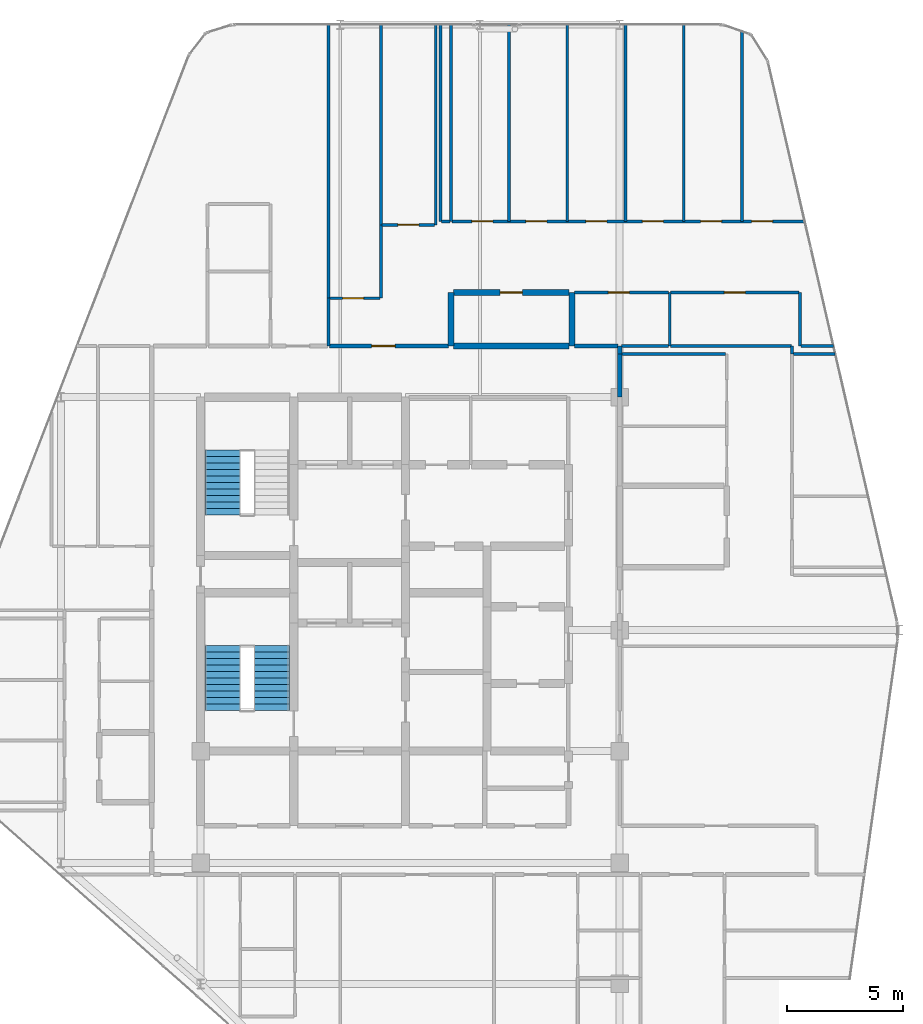
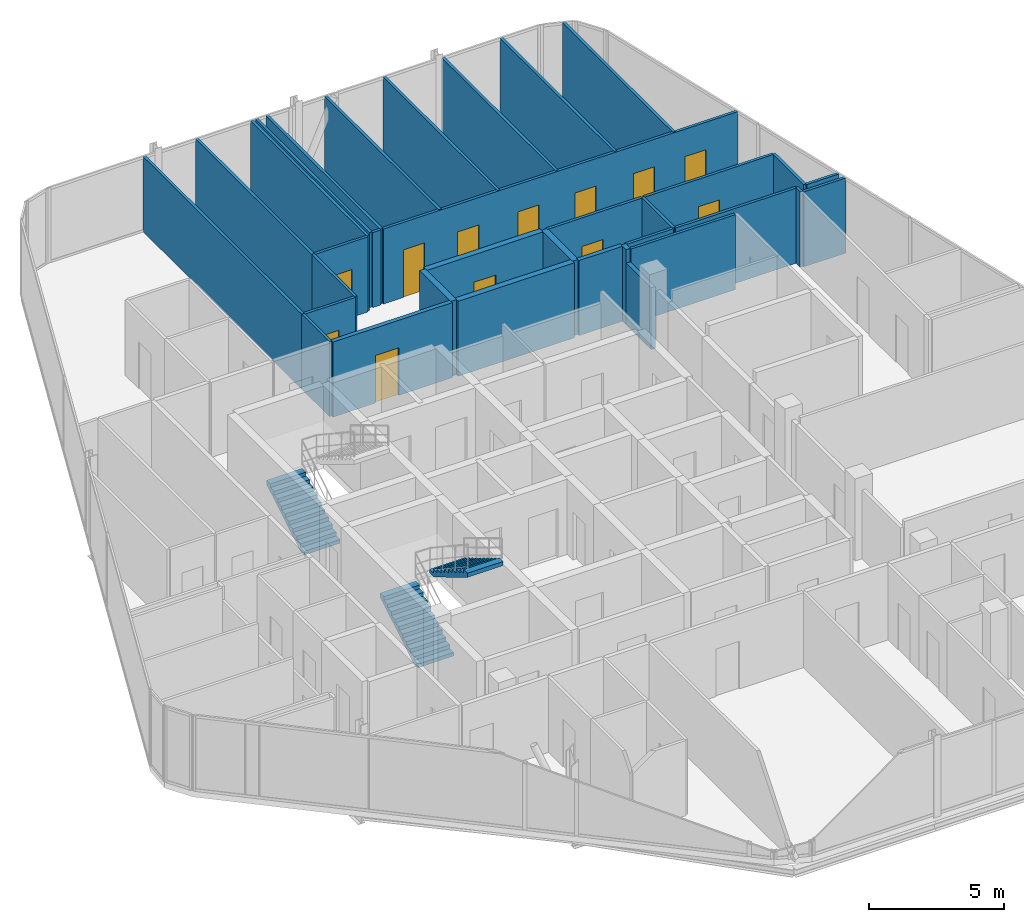
# One storey, part 29 of 31: 34 walls, 12 doors, 3 stair flights, 12 openings, 2 elements without a shape of their own.
"""IFC4 building model written with IfcOpenShell, lengths in metres."""

from ifc_helpers import new_model, si_unit, direction, frame, frame_2d, origin, place, context, subcontext, project, spatial, polyline, rectangle, outline, extrude, material, layer, layer_set, type_object, element, fill, aggregate, save


model = new_model("IFC4")

# Units and contexts
model_context = context("Model", 3, precision=1e-05, world=origin(), true_north=direction((0.0, 1.0)))
body_context = subcontext(model_context, "Body", "Model", "MODEL_VIEW")
ifc_project = project(units=[si_unit("LENGTHUNIT", "METRE"), si_unit("AREAUNIT", "SQUARE_METRE"), si_unit("VOLUMEUNIT", "CUBIC_METRE"), si_unit("PLANEANGLEUNIT", "RADIAN"), si_unit("MASSUNIT", "GRAM", prefix="KILO")], contexts=[model_context])

# Site, building, storey
site_placement = place(None, origin())
site = spatial("IfcSite", under=ifc_project, at=site_placement, CompositionType="ELEMENT")
building_placement = place(site_placement, origin())
building = spatial("IfcBuilding", under=site, at=building_placement, Name="Keshet Zoharim Tower", CompositionType="ELEMENT")
storey_placement = place(building_placement, frame((0.0, 0.0, 276.89990234375)))
storey = spatial("IfcBuildingStorey", under=building, at=storey_placement, Name="L69", CompositionType="ELEMENT", Elevation=276.89990234375)

# Wall
ifc_material_1 = material(Name="Gypsum Plasterboard", Category="gypsum")
ifc_layer_1 = layer(ifc_material_1, 0.179931640625)
ifc_layer_set_1 = layer_set([ifc_layer_1], Name="Gypsum Plasterboard")
wall_type_1 = type_object("IfcWallType", Name="WL-CORR-180", PredefinedType="STANDARD", material=ifc_layer_set_1)
wall_1_placement = place(storey_placement, frame((33.0, 39.75, 0.0), z_axis=(0.0, 0.0, 1.0), x_axis=(0.0, 1.0, 0.0)))
element("IfcWall", 1, at=wall_1_placement, inside=storey, type_object=wall_type_1, Name="L69 Interior Wall 077", PredefinedType="STANDARD", context=body_context, shape_type="SweptSolid", body=[
    extrude(rectangle(XDim=0.35009765625, YDim=0.179931640625, at=frame_2d((0.175048828125, 0.0))), origin(), (0.0, 0.0, 1.0), 3.39013671875),
])

# Wall, opening, door
wall_2_placement = place(storey_placement, frame((20.544921875, 40.10009765625, 0.0), z_axis=(0.0, 0.0, 1.0), x_axis=(1.0, 0.0, 0.0)))
wall_2 = element("IfcWall", 2, at=wall_2_placement, inside=storey, type_object=wall_type_1, Name="L69 Interior Wall 166", PredefinedType="STANDARD", context=body_context, shape_type="SweptSolid", body=[
    extrude(rectangle(XDim=5.094970703125, YDim=0.179931640625, at=frame_2d((2.54736328125, 0.0))), origin(), (0.0, 0.0, 1.0), 3.39013671875),
])
opening_1_placement = place(wall_2_placement, frame((1.806884765625, 0.0, 0.0)))
opening_1 = element("IfcOpeningElement", 3, at=opening_1_placement, cuts=wall_2, Name="Opening D-F310", PredefinedType="OPENING", context=body_context, shape_type="SweptSolid", body=[
    extrude(rectangle(XDim=1.0, YDim=2.14990234375, at=frame_2d((0.5, 1.074951171875))), frame((0.0, 0.10009765625, 0.0), z_axis=(0.0, -1.0, 0.0), x_axis=(1.0, 0.0, 0.0)), (0.0, 0.0, 1.0), 0.199951171875),
])
ifc_material_2 = material(Name="Hardwood Timber", Category="wood")
door_type_1 = type_object("IfcDoorType", Name="DR-FD30-100", OperationType="NOTDEFINED", PredefinedType="DOOR", material=ifc_material_2)
door_1_placement = place(opening_1_placement, origin())
door_1 = element("IfcDoor", 4, at=door_1_placement, inside=storey, type_object=door_type_1, Name="Apartment 6905 Entrance Door", OperationType="SINGLE_SWING_RIGHT", OverallHeight=2.14990234375, OverallWidth=1.0, PredefinedType="DOOR", context=body_context, shape_type="SweptSolid", body=[
    extrude(rectangle(XDim=1.0, YDim=2.14990234375, at=frame_2d((0.5, 1.074951171875))), frame((0.0, 0.02490234375, 0.0), z_axis=(0.0, -1.0, 0.0), x_axis=(1.0, 0.0, 0.0)), (0.0, 0.0, 1.0), 0.050048828125),
])
fill(opening_1, door_1)

# Walls
wall_3_placement = place(storey_placement, frame((31.050048828125, 40.10009765625, 0.0), z_axis=(0.0, 0.0, 1.0), x_axis=(1.0, 0.0, 0.0)))
element("IfcWall", 5, at=wall_3_placement, inside=storey, type_object=wall_type_1, Name="L69 Interior Wall 168", PredefinedType="STANDARD", context=body_context, shape_type="SweptSolid", body=[
    extrude(rectangle(XDim=1.875, YDim=0.179931640625, at=frame_2d((0.9375, 0.0))), origin(), (0.0, 0.0, 1.0), 3.39013671875),
])
wall_4_placement = place(storey_placement, frame((33.0, 37.89990234375, 0.0), z_axis=(0.0, 0.0, 1.0), x_axis=(0.0, 1.0, 0.0)))
element("IfcWall", 6, at=wall_4_placement, inside=storey, type_object=wall_type_1, Name="L69 Interior Wall 076 Part 2", PredefinedType="STANDARD", context=body_context, shape_type="SweptSolid", body=[
    extrude(rectangle(XDim=1.85009765625, YDim=0.179931640625, at=frame_2d((0.925048828125, 0.0))), origin(), (0.0, 0.0, 1.0), 2.7900390625),
])
ifc_material_3 = material(Name="Concrete C50/60", Category="concrete")
ifc_layer_2 = layer(ifc_material_3, 0.25)
ifc_layer_set_2 = layer_set([ifc_layer_2], Name="Concrete C50/60")
wall_type_2 = type_object("IfcWallType", Name="WL-MAMAD-250", PredefinedType="STANDARD", material=ifc_layer_set_2)
for number, where, z_axis, x_axis, name in (
    (7, (25.75, 40.10009765625, 0.0), (0.0, 0.0, 1.0), (0.0, 1.0, 0.0), "L69 Interior Wall 049"),
    (8, (30.949951171875, 40.10009765625, 0.0), (0.0, 0.0, 1.0), (0.0, 1.0, 0.0), "L69 Interior Wall 068"),
):
    element("IfcWall", number, at=place(storey_placement, frame(where, z_axis=z_axis, x_axis=x_axis)), inside=storey, type_object=wall_type_2, Name=name, PredefinedType="STANDARD", context=body_context, shape_type="SweptSolid", body=[
        extrude(rectangle(XDim=2.2998046875, YDim=0.25, at=frame_2d((1.14990234375, 0.0))), origin(), (0.0, 0.0, 1.0), 3.39013671875),
    ])
wall_5_placement = place(storey_placement, frame((25.860107421875, 40.10009765625, 0.0), z_axis=(0.0, 0.0, 1.0), x_axis=(1.0, 0.0, 0.0)))
element("IfcWall", 9, at=wall_5_placement, inside=storey, type_object=wall_type_2, Name="L69 Interior Wall 167", PredefinedType="STANDARD", context=body_context, shape_type="SweptSolid", body=[
    extrude(rectangle(XDim=4.969970703125, YDim=0.25, at=frame_2d((2.48486328125, 0.0))), origin(), (0.0, 0.0, 1.0), 3.39013671875),
])

# Wall, opening, door
wall_6_placement = place(storey_placement, frame((25.860107421875, 42.39990234375, 0.0), z_axis=(0.0, 0.0, 1.0), x_axis=(1.0, 0.0, 0.0)))
wall_6 = element("IfcWall", 10, at=wall_6_placement, inside=storey, type_object=wall_type_2, Name="L69 Interior Wall 173", PredefinedType="STANDARD", context=body_context, shape_type="SweptSolid", body=[
    extrude(rectangle(XDim=4.969970703125, YDim=0.25, at=frame_2d((2.48486328125, 0.0))), origin(), (0.0, 0.0, 1.0), 3.39013671875),
])
opening_2_placement = place(wall_6_placement, frame((2.010009765625, 0.0, 0.0)))
opening_2 = element("IfcOpeningElement", 11, at=opening_2_placement, cuts=wall_6, Name="Opening D-F695", PredefinedType="OPENING", context=body_context, shape_type="SweptSolid", body=[
    extrude(rectangle(XDim=0.949951171875, YDim=2.14990234375, at=frame_2d((0.47509765625, 1.074951171875))), frame((0.0, 0.135009765625, 0.0), z_axis=(0.0, -1.0, 0.0), x_axis=(1.0, 0.0, 0.0)), (0.0, 0.0, 1.0), 0.27001953125),
])
door_type_2 = type_object("IfcDoorType", Name="DR-FD60-095", OperationType="NOTDEFINED", PredefinedType="DOOR", material=ifc_material_2)
door_2_placement = place(opening_2_placement, origin())
door_2 = element("IfcDoor", 12, at=door_2_placement, inside=storey, type_object=door_type_2, Name="Apartment 6905 Study and Shelter Room Door", OperationType="SINGLE_SWING_RIGHT", OverallHeight=2.14990234375, OverallWidth=0.949951171875, PredefinedType="DOOR", context=body_context, shape_type="SweptSolid", body=[
    extrude(rectangle(XDim=0.949951171875, YDim=2.14990234375, at=frame_2d((0.47509765625, 1.074951171875))), frame((0.0, 0.02490234375, 0.0), z_axis=(0.0, -1.0, 0.0), x_axis=(1.0, 0.0, 0.0)), (0.0, 0.0, 1.0), 0.050048828125),
])
fill(opening_2, door_2)

# Walls
ifc_layer_3 = layer(ifc_material_1, 0.1201171875)
ifc_layer_set_3 = layer_set([ifc_layer_3], Name="Gypsum Plasterboard")
wall_type_3 = type_object("IfcWallType", Name="WL-PART-120", PredefinedType="PARTITIONING", material=ifc_layer_set_3)
wall_7_placement = place(storey_placement, frame((20.5, 40.10009765625, 0.0), z_axis=(0.0, 0.0, 1.0), x_axis=(0.0, 1.0, 0.0)))
element("IfcWall", 13, at=wall_7_placement, inside=storey, type_object=wall_type_3, Name="L69 Interior Wall 033", PredefinedType="PARTITIONING", context=body_context, shape_type="SweptSolid", body=[
    extrude(rectangle(XDim=2.0498046875, YDim=0.1201171875, at=frame_2d((1.02490234375, 0.0))), origin(), (0.0, 0.0, 1.0), 3.39013671875),
])
wall_8_placement = place(storey_placement, frame((20.5, 42.14990234375, 0.0), z_axis=(0.0, 0.0, 1.0), x_axis=(0.0, 1.0, 0.0)))
element("IfcWall", 14, at=wall_8_placement, inside=storey, type_object=wall_type_3, Name="L69 Interior Wall 034", PredefinedType="PARTITIONING", context=body_context, shape_type="SweptSolid", body=[
    extrude(rectangle(XDim=11.739990234375, YDim=0.1201171875, at=frame_2d((5.8701171875, 0.0))), origin(), (0.0, 0.0, 1.0), 3.39013671875),
])
wall_9_placement = place(storey_placement, frame((22.75, 42.14990234375, 0.0), z_axis=(0.0, 0.0, 1.0), x_axis=(0.0, 1.0, 0.0)))
element("IfcWall", 15, at=wall_9_placement, inside=storey, type_object=wall_type_3, Name="L69 Interior Wall 038", PredefinedType="PARTITIONING", context=body_context, shape_type="SweptSolid", body=[
    extrude(rectangle(XDim=3.150146484375, YDim=0.1201171875, at=frame_2d((1.5751953125, 0.0))), origin(), (0.0, 0.0, 1.0), 3.39013671875),
])
for number, where, z_axis, x_axis, name in (
    (16, (22.75, 45.300048828125, 0.0), (0.0, 0.0, 1.0), (0.0, 1.0, 0.0), "L69 Interior Wall 039"),
    (17, (25.10009765625, 45.300048828125, 0.0), (0.0, 0.0, 1.0), (0.0, 1.0, 0.0), "L69 Interior Wall 047"),
):
    element("IfcWall", number, at=place(storey_placement, frame(where, z_axis=z_axis, x_axis=x_axis)), inside=storey, type_object=wall_type_3, Name=name, PredefinedType="PARTITIONING", context=body_context, shape_type="SweptSolid", body=[
        extrude(rectangle(XDim=8.58984375, YDim=0.1201171875, at=frame_2d((4.294921875, 0.0))), origin(), (0.0, 0.0, 1.0), 3.39013671875),
    ])
for number, where, z_axis, x_axis, name in (
    (18, (25.300048828125, 45.449951171875, 0.0), (0.0, 0.0, 1.0), (0.0, 1.0, 0.0), "L69 Interior Wall 048"),
    (19, (25.75, 45.449951171875, 0.0), (0.0, 0.0, 1.0), (0.0, 1.0, 0.0), "L69 Interior Wall 050"),
    (20, (28.25, 45.449951171875, 0.0), (0.0, 0.0, 1.0), (0.0, 1.0, 0.0), "L69 Interior Wall 059"),
    (21, (30.75, 45.449951171875, 0.0), (0.0, 0.0, 1.0), (0.0, 1.0, 0.0), "L69 Interior Wall 060"),
    (22, (33.25, 45.449951171875, 0.0), (0.0, 0.0, 1.0), (0.0, 1.0, 0.0), "L69 Interior Wall 078"),
    (23, (35.75, 45.449951171875, 0.0), (0.0, 0.0, 1.0), (0.0, 1.0, 0.0), "L69 Interior Wall 083"),
):
    element("IfcWall", number, at=place(storey_placement, frame(where, z_axis=z_axis, x_axis=x_axis)), inside=storey, type_object=wall_type_3, Name=name, PredefinedType="PARTITIONING", context=body_context, shape_type="SweptSolid", body=[
        extrude(rectangle(XDim=8.43994140625, YDim=0.1201171875, at=frame_2d((4.219970703125, 0.0))), origin(), (0.0, 0.0, 1.0), 3.39013671875),
    ])
wall_10_placement = place(storey_placement, frame((38.25, 45.449951171875, 0.0), z_axis=(0.0, 0.0, 1.0), x_axis=(0.0, 1.0, 0.0)))
element("IfcWall", 24, at=wall_10_placement, inside=storey, type_object=wall_type_3, Name="L69 Interior Wall 090", PredefinedType="PARTITIONING", context=body_context, shape_type="SweptSolid", body=[
    extrude(rectangle(XDim=8.14599609375, YDim=0.1201171875, at=frame_2d((4.072998046875, 0.0))), origin(), (0.0, 0.0, 1.0), 3.39013671875),
])
wall_11_placement = place(storey_placement, frame((40.39990234375, 39.75, 0.0), z_axis=(0.0, 0.0, 1.0), x_axis=(0.0, 1.0, 0.0)))
element("IfcWall", 25, at=wall_11_placement, inside=storey, type_object=wall_type_3, Name="L69 Interior Wall 093", PredefinedType="PARTITIONING", context=body_context, shape_type="SweptSolid", body=[
    extrude(rectangle(XDim=0.35009765625, YDim=0.1201171875, at=frame_2d((0.175048828125, 0.0))), origin(), (0.0, 0.0, 1.0), 3.39013671875),
])
wall_12_placement = place(storey_placement, frame((40.75, 40.10009765625, 0.0), z_axis=(0.0, 0.0, 1.0), x_axis=(0.0, 1.0, 0.0)))
element("IfcWall", 26, at=wall_12_placement, inside=storey, type_object=wall_type_3, Name="L69 Interior Wall 094", PredefinedType="PARTITIONING", context=body_context, shape_type="SweptSolid", body=[
    extrude(rectangle(XDim=2.2998046875, YDim=0.1201171875, at=frame_2d((1.14990234375, 0.0))), origin(), (0.0, 0.0, 1.0), 3.39013671875),
])
wall_13_placement = place(storey_placement, frame((33.074951171875, 39.75, 0.0), z_axis=(0.0, 0.0, 1.0), x_axis=(1.0, 0.0, 0.0)))
element("IfcWall", 27, at=wall_13_placement, inside=storey, type_object=wall_type_3, Name="L69 Interior Wall 159", PredefinedType="PARTITIONING", context=body_context, shape_type="SweptSolid", body=[
    extrude(rectangle(XDim=4.4599609375, YDim=0.1201171875, at=frame_2d((2.22998046875, 0.0))), origin(), (0.0, 0.0, 1.0), 3.39013671875),
])
wall_14_placement = place(storey_placement, frame((40.465087890625, 39.75, 0.0), z_axis=(0.0, 0.0, 1.0), x_axis=(1.0, 0.0, 0.0)))
element("IfcWall", 28, at=wall_14_placement, inside=storey, type_object=wall_type_3, Name="L69 Interior Wall 160", PredefinedType="PARTITIONING", context=body_context, shape_type="SweptSolid", body=[
    extrude(rectangle(XDim=1.789794921875, YDim=0.1201171875, at=frame_2d((0.89501953125, 0.0))), origin(), (0.0, 0.0, 1.0), 3.39013671875),
])
wall_15_placement = place(storey_placement, frame((35.18505859375, 40.10009765625, 0.0), z_axis=(0.0, 0.0, 1.0), x_axis=(1.0, 0.0, 0.0)))
element("IfcWall", 29, at=wall_15_placement, inside=storey, type_object=wall_type_3, Name="L69 Interior Wall 170", PredefinedType="PARTITIONING", context=body_context, shape_type="SweptSolid", body=[
    extrude(rectangle(XDim=5.18994140625, YDim=0.1201171875, at=frame_2d((2.594970703125, 0.0))), origin(), (0.0, 0.0, 1.0), 3.39013671875),
])
wall_16_placement = place(storey_placement, frame((40.7958984375, 40.10009765625, 0.0), z_axis=(0.0, 0.0, 1.0), x_axis=(1.0, 0.0, 0.0)))
element("IfcWall", 30, at=wall_16_placement, inside=storey, type_object=wall_type_3, Name="L69 Interior Wall 171", PredefinedType="PARTITIONING", context=body_context, shape_type="SweptSolid", body=[
    extrude(rectangle(XDim=1.379150390625, YDim=0.1201171875, at=frame_2d((0.689453125, 0.0))), origin(), (0.0, 0.0, 1.0), 3.39013671875),
])

# Wall, opening, door
wall_17_placement = place(storey_placement, frame((20.544921875, 42.14990234375, 0.0), z_axis=(0.0, 0.0, 1.0), x_axis=(1.0, 0.0, 0.0)))
wall_17 = element("IfcWall", 31, at=wall_17_placement, inside=storey, type_object=wall_type_3, Name="L69 Interior Wall 172", PredefinedType="PARTITIONING", context=body_context, shape_type="SweptSolid", body=[
    extrude(rectangle(XDim=2.16015625, YDim=0.1201171875, at=frame_2d((1.080078125, 0.0))), origin(), (0.0, 0.0, 1.0), 3.39013671875),
])
opening_3_placement = place(wall_17_placement, frame((0.552978515625, 0.0, 0.0)))
opening_3 = element("IfcOpeningElement", 32, at=opening_3_placement, cuts=wall_17, Name="Opening D-IN90", PredefinedType="OPENING", context=body_context, shape_type="SweptSolid", body=[
    extrude(rectangle(XDim=0.89990234375, YDim=2.14990234375, at=frame_2d((0.449951171875, 1.074951171875))), frame((0.0, 0.070068359375, 0.0), z_axis=(0.0, -1.0, 0.0), x_axis=(1.0, 0.0, 0.0)), (0.0, 0.0, 1.0), 0.14013671875),
])
door_type_3 = type_object("IfcDoorType", Name="DR-INT-090", OperationType="NOTDEFINED", PredefinedType="DOOR", material=ifc_material_2)
door_3_placement = place(opening_3_placement, origin())
door_3 = element("IfcDoor", 33, at=door_3_placement, inside=storey, type_object=door_type_3, Name="Apartment 6905 Formal Dining Room Door", OperationType="SINGLE_SWING_LEFT", OverallHeight=2.14990234375, OverallWidth=0.89990234375, PredefinedType="DOOR", context=body_context, shape_type="SweptSolid", body=[
    extrude(rectangle(XDim=0.89990234375, YDim=2.14990234375, at=frame_2d((0.449951171875, 1.074951171875))), frame((0.0, 0.02490234375, 0.0), z_axis=(0.0, -1.0, 0.0), x_axis=(1.0, 0.0, 0.0)), (0.0, 0.0, 1.0), 0.050048828125),
])
fill(opening_3, door_3)

wall_18_placement = place(storey_placement, frame((35.18505859375, 42.39990234375, 0.0), z_axis=(0.0, 0.0, 1.0), x_axis=(1.0, 0.0, 0.0)))
wall_18 = element("IfcWall", 34, at=wall_18_placement, inside=storey, type_object=wall_type_3, Name="L69 Interior Wall 175", PredefinedType="PARTITIONING", context=body_context, shape_type="SweptSolid", body=[
    extrude(rectangle(XDim=5.52099609375, YDim=0.1201171875, at=frame_2d((2.760498046875, 0.0))), origin(), (0.0, 0.0, 1.0), 3.39013671875),
])
opening_4_placement = place(wall_18_placement, frame((2.31103515625, 0.0, 0.0)))
opening_4 = element("IfcOpeningElement", 35, at=opening_4_placement, cuts=wall_18, Name="Opening D-IN90", PredefinedType="OPENING", context=body_context, shape_type="SweptSolid", body=[
    extrude(rectangle(XDim=0.89990234375, YDim=2.14990234375, at=frame_2d((0.449951171875, 1.074951171875))), frame((0.0, 0.070068359375, 0.0), z_axis=(0.0, -1.0, 0.0), x_axis=(1.0, 0.0, 0.0)), (0.0, 0.0, 1.0), 0.14013671875),
])
door_4_placement = place(opening_4_placement, origin())
door_4 = element("IfcDoor", 36, at=door_4_placement, inside=storey, type_object=door_type_3, Name="Apartment 6905 Kitchen Door", OperationType="SINGLE_SWING_RIGHT", OverallHeight=2.14990234375, OverallWidth=0.89990234375, PredefinedType="DOOR", context=body_context, shape_type="SweptSolid", body=[
    extrude(rectangle(XDim=0.89990234375, YDim=2.14990234375, at=frame_2d((0.449951171875, 1.074951171875))), frame((0.0, 0.02490234375, 0.0), z_axis=(0.0, -1.0, 0.0), x_axis=(1.0, 0.0, 0.0)), (0.0, 0.0, 1.0), 0.050048828125),
])
fill(opening_4, door_4)

wall_19_placement = place(storey_placement, frame((22.794921875, 45.300048828125, 0.0), z_axis=(0.0, 0.0, 1.0), x_axis=(1.0, 0.0, 0.0)))
wall_19 = element("IfcWall", 37, at=wall_19_placement, inside=storey, type_object=wall_type_3, Name="L69 Interior Wall 177", PredefinedType="PARTITIONING", context=body_context, shape_type="SweptSolid", body=[
    extrude(rectangle(XDim=2.260009765625, YDim=0.1201171875, at=frame_2d((1.1298828125, 0.0))), origin(), (0.0, 0.0, 1.0), 3.39013671875),
])
opening_5_placement = place(wall_19_placement, frame((0.679931640625, 0.0, 0.0)))
opening_5 = element("IfcOpeningElement", 38, at=opening_5_placement, cuts=wall_19, Name="Opening D-IN90", PredefinedType="OPENING", context=body_context, shape_type="SweptSolid", body=[
    extrude(rectangle(XDim=0.89990234375, YDim=2.14990234375, at=frame_2d((0.449951171875, 1.074951171875))), frame((0.0, 0.070068359375, 0.0), z_axis=(0.0, -1.0, 0.0), x_axis=(1.0, 0.0, 0.0)), (0.0, 0.0, 1.0), 0.14013671875),
])
door_5_placement = place(opening_5_placement, origin())
door_5 = element("IfcDoor", 39, at=door_5_placement, inside=storey, type_object=door_type_3, Name="Apartment 6905 Home Study Room Door", OperationType="SINGLE_SWING_LEFT", OverallHeight=2.14990234375, OverallWidth=0.89990234375, PredefinedType="DOOR", context=body_context, shape_type="SweptSolid", body=[
    extrude(rectangle(XDim=0.89990234375, YDim=2.14990234375, at=frame_2d((0.449951171875, 1.074951171875))), frame((0.0, 0.02490234375, 0.0), z_axis=(0.0, -1.0, 0.0), x_axis=(1.0, 0.0, 0.0)), (0.0, 0.0, 1.0), 0.050048828125),
])
fill(opening_5, door_5)

# Wall
wall_20_placement = place(storey_placement, frame((25.344970703125, 45.449951171875, 0.0), z_axis=(0.0, 0.0, 1.0), x_axis=(1.0, 0.0, 0.0)))
element("IfcWall", 40, at=wall_20_placement, inside=storey, type_object=wall_type_3, Name="L69 Interior Wall 178", PredefinedType="PARTITIONING", context=body_context, shape_type="SweptSolid", body=[
    extrude(rectangle(XDim=0.360107421875, YDim=0.1201171875, at=frame_2d((0.18017578125, 0.0))), origin(), (0.0, 0.0, 1.0), 3.39013671875),
])

# Wall, openings, doors
wall_21_placement = place(storey_placement, frame((25.794921875, 45.449951171875, 0.0), z_axis=(0.0, 0.0, 1.0), x_axis=(1.0, 0.0, 0.0)))
wall_21 = element("IfcWall", 41, at=wall_21_placement, inside=storey, type_object=wall_type_3, Name="L69 Interior Wall 179", PredefinedType="PARTITIONING", context=body_context, shape_type="SweptSolid", body=[
    extrude(rectangle(XDim=15.14501953125, YDim=0.1201171875, at=frame_2d((7.572509765625, 0.0))), origin(), (0.0, 0.0, 1.0), 3.39013671875),
])
opening_6_placement = place(wall_21_placement, frame((0.85595703125, 0.0, 0.0)))
opening_6 = element("IfcOpeningElement", 42, at=opening_6_placement, cuts=wall_21, Name="Opening D-IN90", PredefinedType="OPENING", context=body_context, shape_type="SweptSolid", body=[
    extrude(rectangle(XDim=0.89990234375, YDim=2.14990234375, at=frame_2d((0.449951171875, 1.074951171875))), frame((0.0, 0.070068359375, 0.0), z_axis=(0.0, -1.0, 0.0), x_axis=(1.0, 0.0, 0.0)), (0.0, 0.0, 1.0), 0.14013671875),
])
opening_7_placement = place(wall_21_placement, frame((3.178955078125, 0.0, 0.0)))
opening_7 = element("IfcOpeningElement", 43, at=opening_7_placement, cuts=wall_21, Name="Opening D-IN90", PredefinedType="OPENING", context=body_context, shape_type="SweptSolid", body=[
    extrude(rectangle(XDim=0.89990234375, YDim=2.14990234375, at=frame_2d((0.449951171875, 1.074951171875))), frame((0.0, 0.070068359375, 0.0), z_axis=(0.0, -1.0, 0.0), x_axis=(1.0, 0.0, 0.0)), (0.0, 0.0, 1.0), 0.14013671875),
])
opening_8_placement = place(wall_21_placement, frame((5.756103515625, 0.0, 0.0)))
opening_8 = element("IfcOpeningElement", 44, at=opening_8_placement, cuts=wall_21, Name="Opening D-IN90", PredefinedType="OPENING", context=body_context, shape_type="SweptSolid", body=[
    extrude(rectangle(XDim=0.89990234375, YDim=2.14990234375, at=frame_2d((0.449951171875, 1.074951171875))), frame((0.0, 0.070068359375, 0.0), z_axis=(0.0, -1.0, 0.0), x_axis=(1.0, 0.0, 0.0)), (0.0, 0.0, 1.0), 0.14013671875),
])
opening_9_placement = place(wall_21_placement, frame((8.179931640625, 0.0, 0.0)))
opening_9 = element("IfcOpeningElement", 45, at=opening_9_placement, cuts=wall_21, Name="Opening D-IN90", PredefinedType="OPENING", context=body_context, shape_type="SweptSolid", body=[
    extrude(rectangle(XDim=0.89990234375, YDim=2.14990234375, at=frame_2d((0.449951171875, 1.074951171875))), frame((0.0, 0.070068359375, 0.0), z_axis=(0.0, -1.0, 0.0), x_axis=(1.0, 0.0, 0.0)), (0.0, 0.0, 1.0), 0.14013671875),
])
opening_10_placement = place(wall_21_placement, frame((10.679931640625, 0.0, 0.0)))
opening_10 = element("IfcOpeningElement", 46, at=opening_10_placement, cuts=wall_21, Name="Opening D-IN90", PredefinedType="OPENING", context=body_context, shape_type="SweptSolid", body=[
    extrude(rectangle(XDim=0.89990234375, YDim=2.14990234375, at=frame_2d((0.449951171875, 1.074951171875))), frame((0.0, 0.070068359375, 0.0), z_axis=(0.0, -1.0, 0.0), x_axis=(1.0, 0.0, 0.0)), (0.0, 0.0, 1.0), 0.14013671875),
])
opening_11_placement = place(wall_21_placement, frame((12.876953125, 0.0, 0.0)))
opening_11 = element("IfcOpeningElement", 47, at=opening_11_placement, cuts=wall_21, Name="Opening D-IN90", PredefinedType="OPENING", context=body_context, shape_type="SweptSolid", body=[
    extrude(rectangle(XDim=0.89990234375, YDim=2.14990234375, at=frame_2d((0.449951171875, 1.074951171875))), frame((0.0, 0.070068359375, 0.0), z_axis=(0.0, -1.0, 0.0), x_axis=(1.0, 0.0, 0.0)), (0.0, 0.0, 1.0), 0.14013671875),
])
door_6_placement = place(opening_6_placement, origin())
door_6 = element("IfcDoor", 48, at=door_6_placement, inside=storey, type_object=door_type_3, Name="Apartment 6905 Bedroom 1 Door", OperationType="SINGLE_SWING_RIGHT", OverallHeight=2.14990234375, OverallWidth=0.89990234375, PredefinedType="DOOR", context=body_context, shape_type="SweptSolid", body=[
    extrude(rectangle(XDim=0.89990234375, YDim=2.14990234375, at=frame_2d((0.449951171875, 1.074951171875))), frame((0.0, 0.02490234375, 0.0), z_axis=(0.0, -1.0, 0.0), x_axis=(1.0, 0.0, 0.0)), (0.0, 0.0, 1.0), 0.050048828125),
])
fill(opening_6, door_6)
door_7_placement = place(opening_7_placement, origin())
door_7 = element("IfcDoor", 49, at=door_7_placement, inside=storey, type_object=door_type_3, Name="Apartment 6905 Bedroom 2 Door", OperationType="SINGLE_SWING_LEFT", OverallHeight=2.14990234375, OverallWidth=0.89990234375, PredefinedType="DOOR", context=body_context, shape_type="SweptSolid", body=[
    extrude(rectangle(XDim=0.89990234375, YDim=2.14990234375, at=frame_2d((0.449951171875, 1.074951171875))), frame((0.0, 0.02490234375, 0.0), z_axis=(0.0, -1.0, 0.0), x_axis=(1.0, 0.0, 0.0)), (0.0, 0.0, 1.0), 0.050048828125),
])
fill(opening_7, door_7)
door_8_placement = place(opening_8_placement, origin())
door_8 = element("IfcDoor", 50, at=door_8_placement, inside=storey, type_object=door_type_3, Name="Apartment 6905 Bedroom 3 Door", OperationType="SINGLE_SWING_RIGHT", OverallHeight=2.14990234375, OverallWidth=0.89990234375, PredefinedType="DOOR", context=body_context, shape_type="SweptSolid", body=[
    extrude(rectangle(XDim=0.89990234375, YDim=2.14990234375, at=frame_2d((0.449951171875, 1.074951171875))), frame((0.0, 0.02490234375, 0.0), z_axis=(0.0, -1.0, 0.0), x_axis=(1.0, 0.0, 0.0)), (0.0, 0.0, 1.0), 0.050048828125),
])
fill(opening_8, door_8)
door_9_placement = place(opening_9_placement, origin())
door_9 = element("IfcDoor", 51, at=door_9_placement, inside=storey, type_object=door_type_3, Name="Apartment 6905 Bedroom 4 Door", OperationType="SINGLE_SWING_LEFT", OverallHeight=2.14990234375, OverallWidth=0.89990234375, PredefinedType="DOOR", context=body_context, shape_type="SweptSolid", body=[
    extrude(rectangle(XDim=0.89990234375, YDim=2.14990234375, at=frame_2d((0.449951171875, 1.074951171875))), frame((0.0, 0.02490234375, 0.0), z_axis=(0.0, -1.0, 0.0), x_axis=(1.0, 0.0, 0.0)), (0.0, 0.0, 1.0), 0.050048828125),
])
fill(opening_9, door_9)
door_10_placement = place(opening_10_placement, origin())
door_10 = element("IfcDoor", 52, at=door_10_placement, inside=storey, type_object=door_type_3, Name="Apartment 6905 Bedroom 5 Door", OperationType="SINGLE_SWING_RIGHT", OverallHeight=2.14990234375, OverallWidth=0.89990234375, PredefinedType="DOOR", context=body_context, shape_type="SweptSolid", body=[
    extrude(rectangle(XDim=0.89990234375, YDim=2.14990234375, at=frame_2d((0.449951171875, 1.074951171875))), frame((0.0, 0.02490234375, 0.0), z_axis=(0.0, -1.0, 0.0), x_axis=(1.0, 0.0, 0.0)), (0.0, 0.0, 1.0), 0.050048828125),
])
fill(opening_10, door_10)
door_11_placement = place(opening_11_placement, origin())
door_11 = element("IfcDoor", 53, at=door_11_placement, inside=storey, type_object=door_type_3, Name="Apartment 6905 Bedroom 6 Door", OperationType="SINGLE_SWING_LEFT", OverallHeight=2.14990234375, OverallWidth=0.89990234375, PredefinedType="DOOR", context=body_context, shape_type="SweptSolid", body=[
    extrude(rectangle(XDim=0.89990234375, YDim=2.14990234375, at=frame_2d((0.449951171875, 1.074951171875))), frame((0.0, 0.02490234375, 0.0), z_axis=(0.0, -1.0, 0.0), x_axis=(1.0, 0.0, 0.0)), (0.0, 0.0, 1.0), 0.050048828125),
])
fill(opening_11, door_11)

# Walls
ifc_layer_4 = layer(ifc_material_1, 0.1201171875)
ifc_layer_set_4 = layer_set([ifc_layer_4], Name="Gypsum Plasterboard")
wall_type_4 = type_object("IfcWallType", Name="WL-WET-120", PredefinedType="PARTITIONING", material=ifc_layer_set_4)
wall_22_placement = place(storey_placement, frame((35.14990234375, 40.10009765625, 0.0), z_axis=(0.0, 0.0, 1.0), x_axis=(0.0, 1.0, 0.0)))
element("IfcWall", 54, at=wall_22_placement, inside=storey, type_object=wall_type_4, Name="L69 Interior Wall 082", PredefinedType="PARTITIONING", context=body_context, shape_type="SweptSolid", body=[
    extrude(rectangle(XDim=2.2998046875, YDim=0.1201171875, at=frame_2d((1.14990234375, 0.0))), origin(), (0.0, 0.0, 1.0), 3.39013671875),
])
wall_23_placement = place(storey_placement, frame((33.074951171875, 40.10009765625, 0.0), z_axis=(0.0, 0.0, 1.0), x_axis=(1.0, 0.0, 0.0)))
element("IfcWall", 55, at=wall_23_placement, inside=storey, type_object=wall_type_4, Name="L69 Interior Wall 169", PredefinedType="PARTITIONING", context=body_context, shape_type="SweptSolid", body=[
    extrude(rectangle(XDim=2.02001953125, YDim=0.1201171875, at=frame_2d((1.010009765625, 0.0))), origin(), (0.0, 0.0, 1.0), 3.39013671875),
])

# Wall, opening, door
wall_24_placement = place(storey_placement, frame((31.050048828125, 42.39990234375, 0.0), z_axis=(0.0, 0.0, 1.0), x_axis=(1.0, 0.0, 0.0)))
wall_24 = element("IfcWall", 56, at=wall_24_placement, inside=storey, type_object=wall_type_4, Name="L69 Interior Wall 174", PredefinedType="PARTITIONING", context=body_context, shape_type="SweptSolid", body=[
    extrude(rectangle(XDim=4.044921875, YDim=0.1201171875, at=frame_2d((2.0224609375, 0.0))), origin(), (0.0, 0.0, 1.0), 3.39013671875),
])
opening_12_placement = place(wall_24_placement, frame((1.467041015625, 0.0, 0.0)))
opening_12 = element("IfcOpeningElement", 57, at=opening_12_placement, cuts=wall_24, Name="Opening D-WT90", PredefinedType="OPENING", context=body_context, shape_type="SweptSolid", body=[
    extrude(rectangle(XDim=0.89990234375, YDim=2.10009765625, at=frame_2d((0.449951171875, 1.050048828125))), frame((0.0, 0.070068359375, 0.0), z_axis=(0.0, -1.0, 0.0), x_axis=(1.0, 0.0, 0.0)), (0.0, 0.0, 1.0), 0.14013671875),
])
door_type_4 = type_object("IfcDoorType", Name="DR-WET-090", OperationType="NOTDEFINED", PredefinedType="DOOR", material=ifc_material_2)
door_12_placement = place(opening_12_placement, origin())
door_12 = element("IfcDoor", 58, at=door_12_placement, inside=storey, type_object=door_type_4, Name="Apartment 6905 Bathroom Door", OperationType="SINGLE_SWING_LEFT", OverallHeight=2.10009765625, OverallWidth=0.89990234375, PredefinedType="DOOR", context=body_context, shape_type="SweptSolid", body=[
    extrude(rectangle(XDim=0.89990234375, YDim=2.10009765625, at=frame_2d((0.449951171875, 1.050048828125))), frame((0.0, 0.02490234375, 0.0), z_axis=(0.0, -1.0, 0.0), x_axis=(1.0, 0.0, 0.0)), (0.0, 0.0, 1.0), 0.050048828125),
])
fill(opening_12, door_12)

# Stair, stair flights
stair_type = type_object("IfcStairType", Name="STR-EXIT-135", PredefinedType="HALF_TURN_STAIR", material=ifc_material_3)
stair_1_placement = place(storey_placement, origin())
stair_1 = element("IfcStair", 59, at=stair_1_placement, inside=storey, type_object=stair_type, Name="L69 Enclosed Exit Stair ST-01", PredefinedType="HALF_TURN_STAIR")
stair_flight_type = type_object("IfcStairFlightType", Name="FLT-PRE-135", PredefinedType="STRAIGHT", material=ifc_material_3)
stair_flight_1_placement = place(storey_placement, frame((15.945068359375, 24.43994140625, 0.0), z_axis=(0.0, 0.0, 1.0), x_axis=(0.0, 1.0, 0.0)))
stair_flight_1 = element("IfcStairFlight", 60, at=stair_flight_1_placement, type_object=stair_flight_type, Name="ST-01 flight 1", NumberOfRisers=11, NumberOfTreads=10, PredefinedType="STRAIGHT", RiserHeight=0.168182, TreadLength=0.28, context=body_context, shape_type="SweptSolid", body=[
    extrude(outline(polyline([(0.0, 0.0), (0.0, 0.168212890625), (0.280029296875, 0.168212890625), (0.280029296875, 0.33642578125), (0.56005859375, 0.33642578125), (0.56005859375, 0.504638671875), (0.840087890625, 0.504638671875), (0.840087890625, 0.672607421875), (1.1201171875, 0.672607421875), (1.1201171875, 0.8408203125), (1.39990234375, 0.8408203125), (1.39990234375, 1.009033203125), (1.679931640625, 1.009033203125), (1.679931640625, 1.17724609375), (1.9599609375, 1.17724609375), (1.9599609375, 1.345458984375), (2.239990234375, 1.345458984375), (2.239990234375, 1.513671875), (2.52001953125, 1.513671875), (2.52001953125, 1.681884765625), (2.800048828125, 1.681884765625), (2.800048828125, 1.85009765625), (2.800048828125, 1.495361328125), (0.310546875, 0.0), (0.0, 0.0)])), frame((0.0, 0.76513671875, 0.0), z_axis=(0.0, -1.0, 0.0), x_axis=(1.0, 0.0, 0.0)), (0.0, 0.0, 1.0), 1.530029296875),
])
stair_flight_2_placement = place(storey_placement, frame((18.054931640625, 27.239990234375, 1.85009765625), z_axis=(0.0, 0.0, 1.0), x_axis=(0.0, -1.0, 0.0)))
stair_flight_2 = element("IfcStairFlight", 61, at=stair_flight_2_placement, type_object=stair_flight_type, Name="ST-01 flight 2", NumberOfRisers=11, NumberOfTreads=10, PredefinedType="STRAIGHT", RiserHeight=0.168182, TreadLength=0.28, context=body_context, shape_type="SweptSolid", body=[
    extrude(outline(polyline([(0.0, 0.0), (0.0, 0.168212890625), (0.280029296875, 0.168212890625), (0.280029296875, 0.33642578125), (0.56005859375, 0.33642578125), (0.56005859375, 0.504638671875), (0.840087890625, 0.504638671875), (0.840087890625, 0.672607421875), (1.1201171875, 0.672607421875), (1.1201171875, 0.8408203125), (1.39990234375, 0.8408203125), (1.39990234375, 1.009033203125), (1.679931640625, 1.009033203125), (1.679931640625, 1.17724609375), (1.9599609375, 1.17724609375), (1.9599609375, 1.345458984375), (2.239990234375, 1.345458984375), (2.239990234375, 1.513671875), (2.52001953125, 1.513671875), (2.52001953125, 1.681884765625), (2.800048828125, 1.681884765625), (2.800048828125, 1.85009765625), (2.800048828125, 1.495361328125), (0.310546875, 0.0), (0.0, 0.0)])), frame((0.0, 0.76513671875, 0.0), z_axis=(0.0, -1.0, 0.0), x_axis=(1.0, 0.0, 0.0)), (0.0, 0.0, 1.0), 1.530029296875),
])
aggregate(stair_1, [stair_flight_1, stair_flight_2])

# Stair, stair flight
stair_2_placement = place(storey_placement, origin())
stair_2 = element("IfcStair", 62, at=stair_2_placement, inside=storey, type_object=stair_type, Name="L69 Enclosed Exit Stair ST-02", PredefinedType="HALF_TURN_STAIR")
stair_flight_3_placement = place(storey_placement, frame((15.945068359375, 32.840087890625, 0.0), z_axis=(0.0, 0.0, 1.0), x_axis=(0.0, 1.0, 0.0)))
stair_flight_3 = element("IfcStairFlight", 63, at=stair_flight_3_placement, type_object=stair_flight_type, Name="ST-02 flight 1", NumberOfRisers=11, NumberOfTreads=10, PredefinedType="STRAIGHT", RiserHeight=0.168182, TreadLength=0.28, context=body_context, shape_type="SweptSolid", body=[
    extrude(outline(polyline([(0.0, 0.0), (0.0, 0.168212890625), (0.280029296875, 0.168212890625), (0.280029296875, 0.33642578125), (0.56005859375, 0.33642578125), (0.56005859375, 0.504638671875), (0.840087890625, 0.504638671875), (0.840087890625, 0.672607421875), (1.1201171875, 0.672607421875), (1.1201171875, 0.8408203125), (1.39990234375, 0.8408203125), (1.39990234375, 1.009033203125), (1.679931640625, 1.009033203125), (1.679931640625, 1.17724609375), (1.9599609375, 1.17724609375), (1.9599609375, 1.345458984375), (2.239990234375, 1.345458984375), (2.239990234375, 1.513671875), (2.52001953125, 1.513671875), (2.52001953125, 1.681884765625), (2.800048828125, 1.681884765625), (2.800048828125, 1.85009765625), (2.800048828125, 1.495361328125), (0.310546875, 0.0), (0.0, 0.0)])), frame((0.0, 0.76513671875, 0.0), z_axis=(0.0, -1.0, 0.0), x_axis=(1.0, 0.0, 0.0)), (0.0, 0.0, 1.0), 1.530029296875),
])
aggregate(stair_2, [stair_flight_3])

save(model, "model.ifc")
